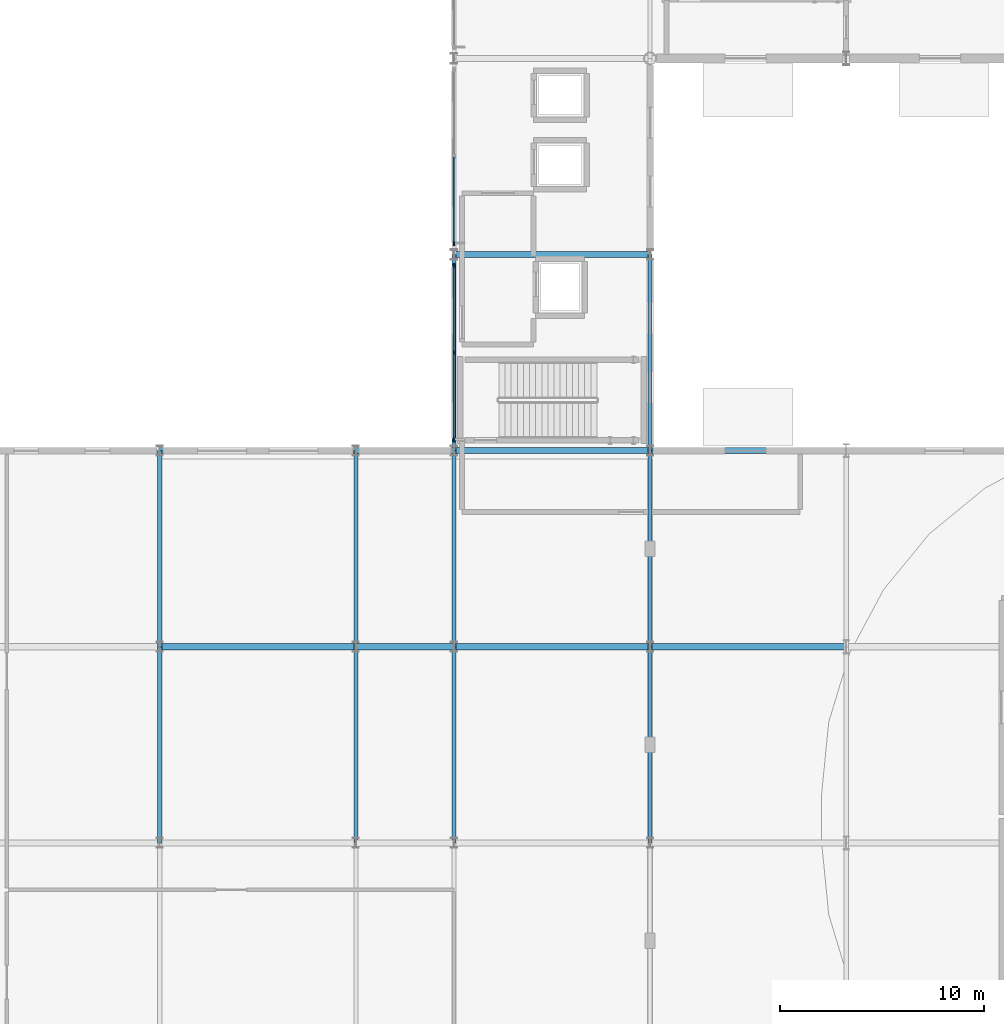
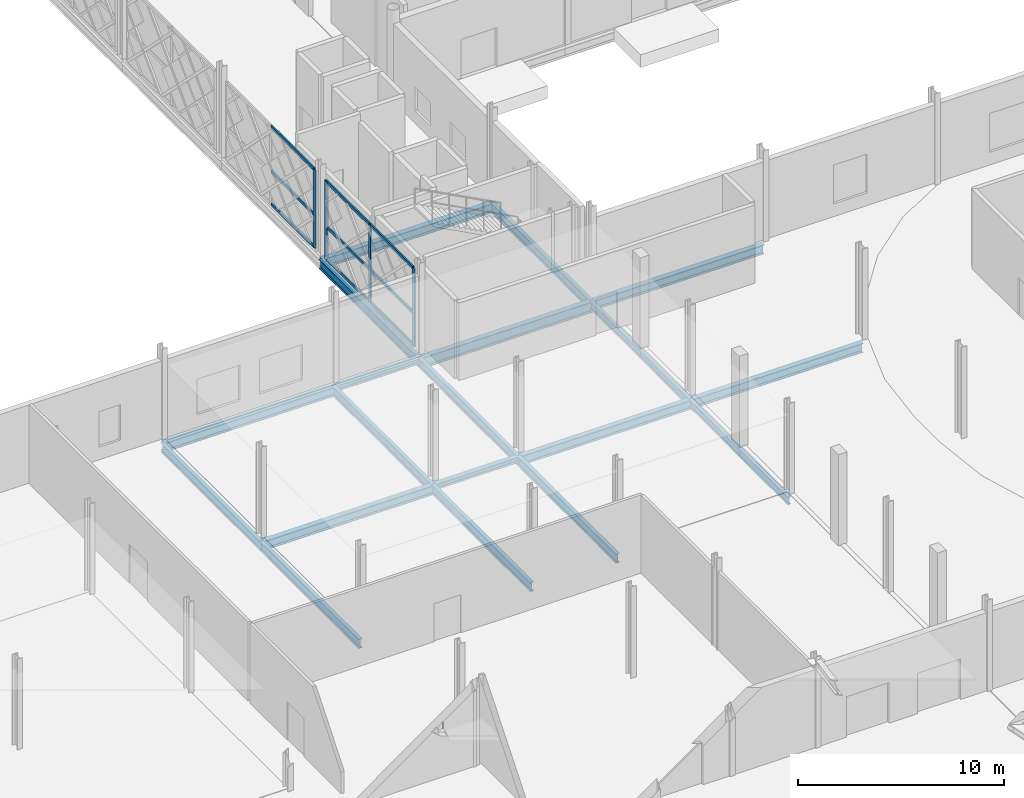
# One storey, part 33 of 84: 21 beams, 13 members, 2 elements without a shape of their own.
"""IFC4 building model written with IfcOpenShell, lengths in metres."""

from ifc_helpers import new_model, si_unit, direction, frame, origin, origin_2d, place, context, subcontext, project, spatial, rectangle, i_section, extrude, material, layer, layer_set, material_profile, profile_set, type_object, element, aggregate, save


model = new_model("IFC4")

# Units and contexts
model_context = context("Model", 3, precision=1e-05, world=origin(), true_north=direction((0.0, 1.0)))
body_context = subcontext(model_context, "Body", "Model", "MODEL_VIEW")
ifc_project = project(units=[si_unit("LENGTHUNIT", "METRE"), si_unit("AREAUNIT", "SQUARE_METRE"), si_unit("VOLUMEUNIT", "CUBIC_METRE"), si_unit("PLANEANGLEUNIT", "RADIAN"), si_unit("MASSUNIT", "GRAM", prefix="KILO")], contexts=[model_context])

# Site, building, storey
site_placement = place(None, origin())
site = spatial("IfcSite", under=ifc_project, at=site_placement, CompositionType="ELEMENT")
building_placement = place(site_placement, origin())
building = spatial("IfcBuilding", under=site, at=building_placement, Name="Zevrakil Square Congress Hotel", CompositionType="ELEMENT")
storey_placement = place(building_placement, origin())
storey = spatial("IfcBuildingStorey", under=building, at=storey_placement, Name="L01", CompositionType="ELEMENT", Elevation=0.0)

# Beams
ifc_material_1 = material(Name="Steel S355", Category="steel")
ifc_material_profile_1 = material_profile(ifc_material_1, i_section(OverallWidth=0.300048828125, OverallDepth=0.31005859375, WebThickness=0.009033203125, FlangeThickness=0.015380859375, FilletRadius=0.027099609375, at=origin_2d()), Name="HEA 320")
ifc_profile_set_1 = profile_set([ifc_material_profile_1], Name="Steel S355")
beam_type_1 = type_object("IfcBeamType", Name="BM-HEA320", PredefinedType="BEAM", material=ifc_profile_set_1)
for number, where, z_axis, x_axis, name in (
    (1, (103.199951171875, 36.0, -0.47509765625), (1.0, 0.0, 0.0), (0.0, 1.0, 0.0), "L01 primary girder BX-0342"),
    (2, (103.199951171875, 45.60009765625, -0.47509765625), (1.0, 0.0, 0.0), (0.0, 1.0, 0.0), "L01 primary girder BX-0359"),
):
    element("IfcBeam", number, at=place(storey_placement, frame(where, z_axis=z_axis, x_axis=x_axis)), inside=storey, type_object=beam_type_1, Name=name, PredefinedType="BEAM", context=body_context, shape_type="SweptSolid", body=[
        extrude(i_section(OverallWidth=0.300048828125, OverallDepth=0.31005859375, WebThickness=0.009033203125, FlangeThickness=0.015380859375, FilletRadius=0.027099609375, at=origin_2d()), origin(), (0.0, 0.0, 1.0), 4.800048828125),
    ])
ifc_material_2 = material(Name="Steel S355", Category="steel")
ifc_material_profile_2 = material_profile(ifc_material_2, i_section(OverallWidth=0.300048828125, OverallDepth=0.5400390625, WebThickness=0.012451171875, FlangeThickness=0.02392578125, FilletRadius=0.027099609375, at=origin_2d()), Name="HEA 550")
ifc_profile_set_2 = profile_set([ifc_material_profile_2], Name="Steel S355")
beam_type_2 = type_object("IfcBeamType", Name="BM-HEA550", PredefinedType="BEAM", material=ifc_profile_set_2)
beam_1_placement = place(storey_placement, frame((93.60009765625, 36.0, -0.590087890625), z_axis=(1.0, 0.0, 0.0), x_axis=(0.0, 1.0, 0.0)))
element("IfcBeam", 3, at=beam_1_placement, inside=storey, type_object=beam_type_2, Name="L01 primary girder BX-0341", PredefinedType="BEAM", context=body_context, shape_type="SweptSolid", body=[
    extrude(i_section(OverallWidth=0.300048828125, OverallDepth=0.5400390625, WebThickness=0.012451171875, FlangeThickness=0.02392578125, FilletRadius=0.027099609375, at=origin_2d()), origin(), (0.0, 0.0, 1.0), 9.599853515625),
])
beam_2_placement = place(storey_placement, frame((108.0, 36.0, -0.590087890625), z_axis=(1.0, 0.0, 0.0), x_axis=(0.0, 1.0, 0.0)))
element("IfcBeam", 4, at=beam_2_placement, inside=storey, type_object=beam_type_2, Name="L01 primary girder BX-0343", PredefinedType="BEAM", context=body_context, shape_type="SweptSolid", body=[
    extrude(i_section(OverallWidth=0.300048828125, OverallDepth=0.5400390625, WebThickness=0.012451171875, FlangeThickness=0.02392578125, FilletRadius=0.027099609375, at=origin_2d()), origin(), (0.0, 0.0, 1.0), 9.60009765625),
])
for number, where, z_axis, x_axis, name in (
    (5, (117.60009765625, 36.0, -0.590087890625), (1.0, 0.0, 0.0), (0.0, 1.0, 0.0), "L01 primary girder BX-0344"),
    (6, (93.60009765625, 45.60009765625, -0.590087890625), (1.0, 0.0, 0.0), (0.0, 1.0, 0.0), "L01 primary girder BX-0358"),
    (7, (117.60009765625, 45.60009765625, -0.590087890625), (1.0, 0.0, 0.0), (0.0, 1.0, 0.0), "L01 primary girder BX-0361"),
):
    element("IfcBeam", number, at=place(storey_placement, frame(where, z_axis=z_axis, x_axis=x_axis)), inside=storey, type_object=beam_type_2, Name=name, PredefinedType="BEAM", context=body_context, shape_type="SweptSolid", body=[
        extrude(i_section(OverallWidth=0.300048828125, OverallDepth=0.5400390625, WebThickness=0.012451171875, FlangeThickness=0.02392578125, FilletRadius=0.027099609375, at=origin_2d()), origin(), (0.0, 0.0, 1.0), 9.599853515625),
    ])
beam_3_placement = place(storey_placement, frame((108.0, 55.199951171875, -0.590087890625), z_axis=(1.0, 0.0, 0.0), x_axis=(0.0, 1.0, 0.0)))
element("IfcBeam", 8, at=beam_3_placement, inside=storey, type_object=beam_type_2, Name="L01 primary girder BX-0369", PredefinedType="BEAM", context=body_context, shape_type="SweptSolid", body=[
    extrude(i_section(OverallWidth=0.300048828125, OverallDepth=0.5400390625, WebThickness=0.012451171875, FlangeThickness=0.02392578125, FilletRadius=0.027099609375, at=origin_2d()), origin(), (0.0, 0.0, 1.0), 9.60009765625),
])
ifc_material_3 = material(Name="Steel S355", Category="steel")
ifc_material_profile_3 = material_profile(ifc_material_3, i_section(OverallWidth=0.300048828125, OverallDepth=0.639892578125, WebThickness=0.013427734375, FlangeThickness=0.02587890625, FilletRadius=0.027099609375, at=origin_2d()), Name="HEA 650")
ifc_profile_set_3 = profile_set([ifc_material_profile_3], Name="Steel S355")
beam_type_3 = type_object("IfcBeamType", Name="BM-HEA650", PredefinedType="BEAM", material=ifc_profile_set_3)
beam_4_placement = place(storey_placement, frame((108.0, 45.60009765625, -0.639892578125), z_axis=(1.0, 0.0, 0.0), x_axis=(0.0, 1.0, 0.0)))
element("IfcBeam", 9, at=beam_4_placement, inside=storey, type_object=beam_type_3, Name="L01 primary girder BX-0360", PredefinedType="BEAM", context=body_context, shape_type="SweptSolid", body=[
    extrude(i_section(OverallWidth=0.300048828125, OverallDepth=0.639892578125, WebThickness=0.013427734375, FlangeThickness=0.02587890625, FilletRadius=0.027099609375, at=origin_2d()), origin(), (0.0, 0.0, 1.0), 9.60009765625),
])
ifc_material_4 = material(Name="Steel S355", Category="steel")
ifc_material_profile_4 = material_profile(ifc_material_4, i_section(OverallWidth=0.18994140625, OverallDepth=0.449951171875, WebThickness=0.009521484375, FlangeThickness=0.0146484375, FilletRadius=0.02099609375, at=origin_2d()), Name="IPE 450")
ifc_profile_set_4 = profile_set([ifc_material_profile_4], Name="Steel S355")
beam_type_4 = type_object("IfcBeamType", Name="BM-IPE450", PredefinedType="BEAM", material=ifc_profile_set_4)
for number, where, z_axis, x_axis, name in (
    (10, (117.60009765625, 26.39990234375, -0.544921875), (0.0, 1.0, 0.0), (-1.0, 0.0, 0.0), "L01 primary girder BY-0602"),
    (11, (117.60009765625, 31.199951171875, -0.544921875), (0.0, 1.0, 0.0), (-1.0, 0.0, 0.0), "L01 primary girder BY-0603"),
    (12, (117.60009765625, 36.0, -0.544921875), (0.0, 1.0, 0.0), (-1.0, 0.0, 0.0), "L01 primary girder BY-0604"),
    (13, (117.60009765625, 40.800048828125, -0.544921875), (0.0, 1.0, 0.0), (-1.0, 0.0, 0.0), "L01 primary girder BY-0605"),
):
    element("IfcBeam", number, at=place(storey_placement, frame(where, z_axis=z_axis, x_axis=x_axis)), inside=storey, type_object=beam_type_4, Name=name, PredefinedType="BEAM", context=body_context, shape_type="SweptSolid", body=[
        extrude(i_section(OverallWidth=0.18994140625, OverallDepth=0.449951171875, WebThickness=0.009521484375, FlangeThickness=0.0146484375, FilletRadius=0.02099609375, at=origin_2d()), origin(), (0.0, 0.0, 1.0), 4.800048828125),
    ])
ifc_material_5 = material(Name="Steel S355", Category="steel")
ifc_material_profile_5 = material_profile(ifc_material_5, i_section(OverallWidth=0.2099609375, OverallDepth=0.550048828125, WebThickness=0.010986328125, FlangeThickness=0.01708984375, FilletRadius=0.02392578125, at=origin_2d()), Name="IPE 550")
ifc_profile_set_5 = profile_set([ifc_material_profile_5], Name="Steel S355")
beam_type_5 = type_object("IfcBeamType", Name="BM-IPE550", PredefinedType="BEAM", material=ifc_profile_set_5)
for number, where, z_axis, x_axis, name in (
    (14, (93.60009765625, 26.39990234375, -0.594970703125), (0.0, 1.0, 0.0), (-1.0, 0.0, 0.0), "L01 primary girder BY-0569"),
    (15, (93.60009765625, 36.0, -0.594970703125), (0.0, 1.0, 0.0), (-1.0, 0.0, 0.0), "L01 primary girder BY-0570"),
    (16, (103.199951171875, 26.39990234375, -0.594970703125), (0.0, 1.0, 0.0), (-1.0, 0.0, 0.0), "L01 primary girder BY-0578"),
    (17, (103.199951171875, 36.0, -0.594970703125), (0.0, 1.0, 0.0), (-1.0, 0.0, 0.0), "L01 primary girder BY-0579"),
    (18, (108.0, 26.39990234375, -0.594970703125), (0.0, 1.0, 0.0), (-1.0, 0.0, 0.0), "L01 primary girder BY-0587"),
    (19, (108.0, 36.0, -0.594970703125), (0.0, 1.0, 0.0), (-1.0, 0.0, 0.0), "L01 primary girder BY-0588"),
):
    element("IfcBeam", number, at=place(storey_placement, frame(where, z_axis=z_axis, x_axis=x_axis)), inside=storey, type_object=beam_type_5, Name=name, PredefinedType="BEAM", context=body_context, shape_type="SweptSolid", body=[
        extrude(i_section(OverallWidth=0.2099609375, OverallDepth=0.550048828125, WebThickness=0.010986328125, FlangeThickness=0.01708984375, FilletRadius=0.02392578125, at=origin_2d()), origin(), (0.0, 0.0, 1.0), 9.60009765625),
    ])
for number, where, z_axis, x_axis, name in (
    (20, (108.0, 45.60009765625, -0.594970703125), (0.0, 1.0, 0.0), (-1.0, 0.0, 0.0), "L01 primary girder BY-0589"),
    (21, (117.60009765625, 45.60009765625, -0.594970703125), (0.0, 1.0, 0.0), (-1.0, 0.0, 0.0), "L01 primary girder BY-0606"),
):
    element("IfcBeam", number, at=place(storey_placement, frame(where, z_axis=z_axis, x_axis=x_axis)), inside=storey, type_object=beam_type_5, Name=name, PredefinedType="BEAM", context=body_context, shape_type="SweptSolid", body=[
        extrude(i_section(OverallWidth=0.2099609375, OverallDepth=0.550048828125, WebThickness=0.010986328125, FlangeThickness=0.01708984375, FilletRadius=0.02392578125, at=origin_2d()), origin(), (0.0, 0.0, 1.0), 9.599853515625),
    ])

# Curtain wall, members
ifc_material_6 = material(Name="Aluminium Anodised Bronze", Category="aluminium")
ifc_layer = layer(ifc_material_6, 0.179931640625)
ifc_layer_set = layer_set([ifc_layer], Name="Aluminium Anodised Bronze")
curtain_wall_type = type_object("IfcCurtainWallType", Name="CW-L01-840", PredefinedType="USERDEFINED", material=ifc_layer_set)
curtain_wall_1_placement = place(storey_placement, origin())
curtain_wall_1 = element("IfcCurtainWall", 22, at=curtain_wall_1_placement, inside=storey, type_object=curtain_wall_type, Name="L01 diamond curtain wall CW-L01-0122", ObjectType="GLAZED CURTAIN WALL", PredefinedType="USERDEFINED")
ifc_material_7 = material(Name="Aluminium Anodised Bronze", Category="aluminium")
ifc_material_profile_6 = material_profile(ifc_material_7, rectangle(XDim=0.0849609375, YDim=0.179931640625, at=origin_2d()), Name="ALU 85x180")
ifc_profile_set_6 = profile_set([ifc_material_profile_6], Name="Aluminium Anodised Bronze")
member_type_1 = type_object("IfcMemberType", Name="CWM-ALU85x180", PredefinedType="USERDEFINED", material=ifc_profile_set_6)
member_1_placement = place(storey_placement, frame((108.0, 46.179931640625, 0.030029296875), z_axis=(0.0, 1.0, 0.0), x_axis=(-1.0, 0.0, 0.0)))
member_1 = element("IfcMember", 23, at=member_1_placement, type_object=member_type_1, Name="CW-11 transom 1.1", ObjectType="TRANSOM", PredefinedType="USERDEFINED", context=body_context, shape_type="SweptSolid", body=[
    extrude(rectangle(XDim=0.0849609375, YDim=0.179931640625, at=origin_2d()), origin(), (0.0, 0.0, 1.0), 4.190185546875),
])
member_2_placement = place(storey_placement, frame((108.0, 46.179931640625, 1.9423828125), z_axis=(0.0, 1.0, 0.0), x_axis=(-1.0, 0.0, 0.0)))
member_2 = element("IfcMember", 24, at=member_2_placement, type_object=member_type_1, Name="CW-11 transom 1.2", ObjectType="TRANSOM", PredefinedType="USERDEFINED", context=body_context, shape_type="SweptSolid", body=[
    extrude(rectangle(XDim=0.0849609375, YDim=0.179931640625, at=origin_2d()), origin(), (0.0, 0.0, 1.0), 4.190185546875),
])
member_3_placement = place(storey_placement, frame((108.0, 46.179931640625, 4.594970703125), z_axis=(0.0, 1.0, 0.0), x_axis=(-1.0, 0.0, 0.0)))
member_3 = element("IfcMember", 25, at=member_3_placement, type_object=member_type_1, Name="CW-11 transom 1.3", ObjectType="TRANSOM", PredefinedType="USERDEFINED", context=body_context, shape_type="SweptSolid", body=[
    extrude(rectangle(XDim=0.0849609375, YDim=0.179931640625, at=origin_2d()), origin(), (0.0, 0.0, 1.0), 4.190185546875),
])
member_4_placement = place(storey_placement, frame((108.0, 50.429931640625, 0.030029296875), z_axis=(0.0, 1.0, 0.0), x_axis=(-1.0, 0.0, 0.0)))
member_4 = element("IfcMember", 26, at=member_4_placement, type_object=member_type_1, Name="CW-11 transom 2.1", ObjectType="TRANSOM", PredefinedType="USERDEFINED", context=body_context, shape_type="SweptSolid", body=[
    extrude(rectangle(XDim=0.0849609375, YDim=0.179931640625, at=origin_2d()), origin(), (0.0, 0.0, 1.0), 4.190185546875),
])
member_5_placement = place(storey_placement, frame((108.0, 50.429931640625, 1.9423828125), z_axis=(0.0, 1.0, 0.0), x_axis=(-1.0, 0.0, 0.0)))
member_5 = element("IfcMember", 27, at=member_5_placement, type_object=member_type_1, Name="CW-11 transom 2.2", ObjectType="TRANSOM", PredefinedType="USERDEFINED", context=body_context, shape_type="SweptSolid", body=[
    extrude(rectangle(XDim=0.0849609375, YDim=0.179931640625, at=origin_2d()), origin(), (0.0, 0.0, 1.0), 4.190185546875),
])
member_6_placement = place(storey_placement, frame((108.0, 50.429931640625, 4.594970703125), z_axis=(0.0, 1.0, 0.0), x_axis=(-1.0, 0.0, 0.0)))
member_6 = element("IfcMember", 28, at=member_6_placement, type_object=member_type_1, Name="CW-11 transom 2.3", ObjectType="TRANSOM", PredefinedType="USERDEFINED", context=body_context, shape_type="SweptSolid", body=[
    extrude(rectangle(XDim=0.0849609375, YDim=0.179931640625, at=origin_2d()), origin(), (0.0, 0.0, 1.0), 4.190185546875),
])

curtain_wall_2_placement = place(storey_placement, origin())
curtain_wall_2 = element("IfcCurtainWall", 29, at=curtain_wall_2_placement, inside=storey, type_object=curtain_wall_type, Name="L01 diamond curtain wall CW-L01-0128", ObjectType="GLAZED CURTAIN WALL", PredefinedType="USERDEFINED")
member_7_placement = place(storey_placement, frame((108.0, 55.780029296875, 0.030029296875), z_axis=(0.0, 1.0, 0.0), x_axis=(-1.0, 0.0, 0.0)))
member_7 = element("IfcMember", 30, at=member_7_placement, type_object=member_type_1, Name="CW-11 transom 1.1", ObjectType="TRANSOM", PredefinedType="USERDEFINED", context=body_context, shape_type="SweptSolid", body=[
    extrude(rectangle(XDim=0.0849609375, YDim=0.179931640625, at=origin_2d()), origin(), (0.0, 0.0, 1.0), 4.18994140625),
])
member_8_placement = place(storey_placement, frame((108.0, 55.780029296875, 1.9423828125), z_axis=(0.0, 1.0, 0.0), x_axis=(-1.0, 0.0, 0.0)))
member_8 = element("IfcMember", 31, at=member_8_placement, type_object=member_type_1, Name="CW-11 transom 1.2", ObjectType="TRANSOM", PredefinedType="USERDEFINED", context=body_context, shape_type="SweptSolid", body=[
    extrude(rectangle(XDim=0.0849609375, YDim=0.179931640625, at=origin_2d()), origin(), (0.0, 0.0, 1.0), 4.18994140625),
])
member_9_placement = place(storey_placement, frame((108.0, 55.780029296875, 4.594970703125), z_axis=(0.0, 1.0, 0.0), x_axis=(-1.0, 0.0, 0.0)))
member_9 = element("IfcMember", 32, at=member_9_placement, type_object=member_type_1, Name="CW-11 transom 1.3", ObjectType="TRANSOM", PredefinedType="USERDEFINED", context=body_context, shape_type="SweptSolid", body=[
    extrude(rectangle(XDim=0.0849609375, YDim=0.179931640625, at=origin_2d()), origin(), (0.0, 0.0, 1.0), 4.18994140625),
])

# Member
ifc_material_8 = material(Name="Aluminium Anodised Bronze", Category="aluminium")
ifc_material_profile_7 = material_profile(ifc_material_8, rectangle(XDim=0.0849609375, YDim=0.219970703125, at=origin_2d()), Name="ALU 85x220")
ifc_profile_set_7 = profile_set([ifc_material_profile_7], Name="Aluminium Anodised Bronze")
member_type_2 = type_object("IfcMemberType", Name="CWM-ALU85x220", PredefinedType="MULLION", material=ifc_profile_set_7)
member_10_placement = place(storey_placement, frame((108.0, 46.14990234375, 0.0), z_axis=(0.0, 0.0, 1.0), x_axis=(-1.0, 0.0, 0.0)))
member_10 = element("IfcMember", 33, at=member_10_placement, type_object=member_type_2, Name="CW-11 mullion 1", PredefinedType="MULLION", context=body_context, shape_type="SweptSolid", body=[
    extrude(rectangle(XDim=0.0849609375, YDim=0.219970703125, at=origin_2d()), origin(), (0.0, 0.0, 1.0), 4.625),
])

member_11_placement = place(storey_placement, frame((108.0, 50.39990234375, 0.0), z_axis=(0.0, 0.0, 1.0), x_axis=(-1.0, 0.0, 0.0)))
member_11 = element("IfcMember", 34, at=member_11_placement, type_object=member_type_2, Name="CW-11 mullion 2", PredefinedType="MULLION", context=body_context, shape_type="SweptSolid", body=[
    extrude(rectangle(XDim=0.0849609375, YDim=0.219970703125, at=origin_2d()), origin(), (0.0, 0.0, 1.0), 4.625),
])

member_12_placement = place(storey_placement, frame((108.0, 54.64990234375, 0.0), z_axis=(0.0, 0.0, 1.0), x_axis=(-1.0, 0.0, 0.0)))
member_12 = element("IfcMember", 35, at=member_12_placement, type_object=member_type_2, Name="CW-11 mullion 3", PredefinedType="MULLION", context=body_context, shape_type="SweptSolid", body=[
    extrude(rectangle(XDim=0.0849609375, YDim=0.219970703125, at=origin_2d()), origin(), (0.0, 0.0, 1.0), 4.625),
])

aggregate(curtain_wall_1, [member_10, member_11, member_12, member_1, member_2, member_3, member_4, member_5, member_6])

member_13_placement = place(storey_placement, frame((108.0, 55.75, 0.0), z_axis=(0.0, 0.0, 1.0), x_axis=(-1.0, 0.0, 0.0)))
member_13 = element("IfcMember", 36, at=member_13_placement, type_object=member_type_2, Name="CW-11 mullion 1", PredefinedType="MULLION", context=body_context, shape_type="SweptSolid", body=[
    extrude(rectangle(XDim=0.0849609375, YDim=0.219970703125, at=origin_2d()), origin(), (0.0, 0.0, 1.0), 4.625),
])

aggregate(curtain_wall_2, [member_13, member_7, member_8, member_9])

save(model, "model.ifc")
